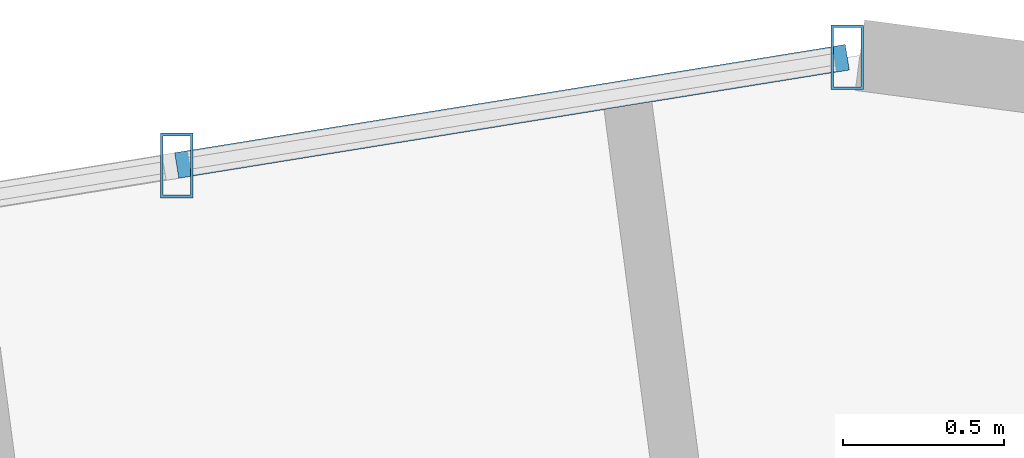
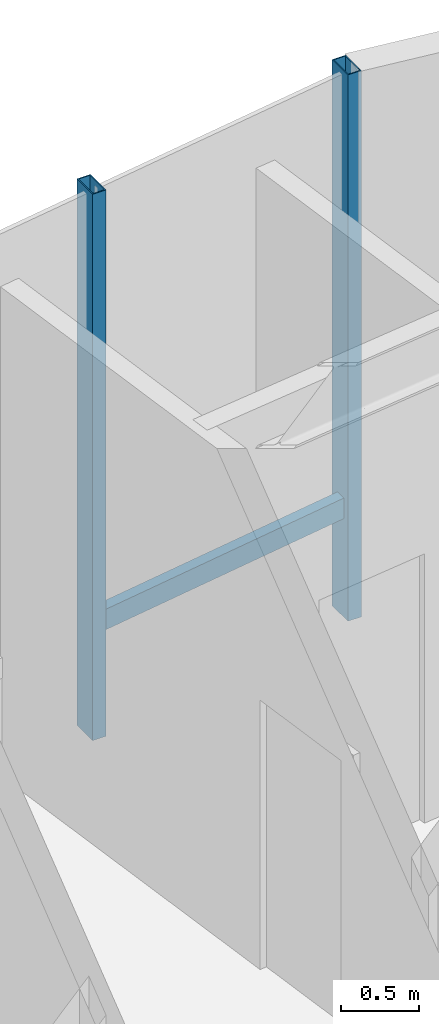
# One storey, part 12 of 20: 3 members, 1 element without a shape of its own.
"""IFC4 building model written with IfcOpenShell, lengths in metres."""

import ifcopenshell
import ifcopenshell.guid

model = None  # the IFC model being written
_history = None  # IfcOwnerHistory: only IFC2X3 demands one
_inside = {}  # id of a spatial element -> (the spatial element, [elements in it])
_under = {}  # id of a project, library or spatial element -> (it, [spatial elements below it])
_declared = {}  # id of a project -> (the project, [libraries it declares])
_typed = {}  # id of a type object -> (the type object, [elements of that type])
_made_of = {}  # id of a material, layer set ... -> (it, [elements and type objects made of it])


def new_model(schema):
    """Start an empty IFC model of exactly this schema.

    Asked for "IFC4X3", IfcOpenShell would pick the latest addendum, in which some entities
    have other attributes; the version numbers below select the first issue.
    IFC2X3 requires an IfcOwnerHistory on every rooted entity: one is made here for all.
    """
    global model, _history
    if schema == "IFC4X3":
        model = ifcopenshell.file(schema_version=(4, 3, 0, 0))
    else:
        model = ifcopenshell.file(schema=schema)
    _inside.clear()
    _under.clear()
    _declared.clear()
    _typed.clear()
    _made_of.clear()
    _history = None
    if model.schema == "IFC2X3":
        org = make("IfcOrganization", Name="unknown")
        user = make(
            "IfcPersonAndOrganization",
            ThePerson=make("IfcPerson", FamilyName="unknown"),
            TheOrganization=org,
        )
        app = make(
            "IfcApplication",
            ApplicationDeveloper=org,
            Version="unknown",
            ApplicationFullName="unknown",
            ApplicationIdentifier="unknown",
        )
        _history = make(
            "IfcOwnerHistory",
            OwningUser=user,
            OwningApplication=app,
            ChangeAction="ADDED",
            CreationDate=0,
        )
    return model


def make(cls, **values):
    """One entity of the class cls with the attributes given. An attribute that is None is left unset."""
    return model.create_entity(
        cls, **{name: value for name, value in values.items() if value is not None}
    )


def rooted(cls, **values):
    """An entity with a GlobalId (a new one), such as an element, a storey or a relation."""
    return make(cls, GlobalId=ifcopenshell.guid.new(), OwnerHistory=_history, **values)


def si_unit(unit_type, name, prefix=None):
    """IfcSIUnit, for example si_unit("LENGTHUNIT", "METRE", prefix="MILLI")."""
    return make("IfcSIUnit", UnitType=unit_type, Prefix=prefix, Name=name)


def assignment(units):
    """IfcUnitAssignment: the units of a project."""
    return None if units is None else make("IfcUnitAssignment", Units=units)


def point(xyz):
    """IfcCartesianPoint."""
    return None if xyz is None else make("IfcCartesianPoint", Coordinates=xyz)


def direction(xyz):
    """IfcDirection."""
    return None if xyz is None else make("IfcDirection", DirectionRatios=xyz)


def frame(location, z_axis=None, x_axis=None):
    """IfcAxis2Placement3D, a coordinate frame: its origin and axes. An axis left out is left unset."""
    return make(
        "IfcAxis2Placement3D",
        Location=point(location),
        Axis=direction(z_axis),
        RefDirection=direction(x_axis),
    )


def frame_2d(location, x_axis=None):
    """IfcAxis2Placement2D, a coordinate frame in the plane: its origin and x axis."""
    return make(
        "IfcAxis2Placement2D", Location=point(location), RefDirection=direction(x_axis)
    )


def origin():
    """The frame at (0, 0, 0) with its axes left unset."""
    return frame((0.0, 0.0, 0.0))


def origin_2d():
    """The frame at (0, 0) in the plane with its x axis left unset."""
    return frame_2d((0.0, 0.0))


def place(relative_to, where):
    """IfcLocalPlacement: puts the frame where relative to a parent placement (None: the world)."""
    return make(
        "IfcLocalPlacement", PlacementRelTo=relative_to, RelativePlacement=where
    )


def context(
    kind, dimensions, precision=None, world=None, true_north=None, identifier=None
):
    """IfcGeometricRepresentationContext, for example the 3D "Model" context."""
    return make(
        "IfcGeometricRepresentationContext",
        ContextIdentifier=identifier,
        ContextType=kind,
        CoordinateSpaceDimension=dimensions,
        Precision=precision,
        WorldCoordinateSystem=world,
        TrueNorth=true_north,
    )


def subcontext(parent, identifier, kind, view, scale=None):
    """IfcGeometricRepresentationSubContext, for example "Body" below "Model"."""
    return make(
        "IfcGeometricRepresentationSubContext",
        ContextIdentifier=identifier,
        ContextType=kind,
        ParentContext=parent,
        TargetScale=scale,
        TargetView=view,
    )


def project(units=None, contexts=None):
    """IfcProject with its units and contexts."""
    return rooted(
        "IfcProject",
        Name="project",
        RepresentationContexts=contexts,
        UnitsInContext=assignment(units),
    )


def spatial(cls, under=None, at=None, **own):
    """A site, building, storey or space (cls), placed at a placement, below another one or the project."""
    s = rooted(cls, ObjectPlacement=at, **own)
    if under is not None:
        _under.setdefault(under.id(), (under, []))[1].append(s)
    return s


def profile(cls, at=None, kind="AREA", **sizes):
    """A parametric profile (cls). Its sizes go by their IFC names, for example OverallWidth=200.0."""
    return make(cls, ProfileType=kind, Position=at, **sizes)


def hollow_rectangle(**sizes):
    """IfcRectangleHollowProfileDef."""
    return profile("IfcRectangleHollowProfileDef", **sizes)


def extrude(swept, where, along, depth):
    """IfcExtrudedAreaSolid: the profile swept, set in the frame where, extruded along a direction by depth."""
    return make(
        "IfcExtrudedAreaSolid",
        SweptArea=swept,
        Position=where,
        ExtrudedDirection=direction(along),
        Depth=depth,
    )


def shape(context_of_items, identifier, shape_type, items):
    """IfcShapeRepresentation: the items that make up one representation, for example the "Body"."""
    return make(
        "IfcShapeRepresentation",
        ContextOfItems=context_of_items,
        RepresentationIdentifier=identifier,
        RepresentationType=shape_type,
        Items=items,
    )


def source(mapping_origin, context_of_items, identifier, shape_type, items):
    """IfcRepresentationMap: a shape defined once, which mapped items show again and again."""
    return make(
        "IfcRepresentationMap",
        MappingOrigin=mapping_origin,
        MappedRepresentation=shape(context_of_items, identifier, shape_type, items),
    )


def transform(
    local_origin,
    x_axis=None,
    y_axis=None,
    z_axis=None,
    scale=None,
    scale2=None,
    scale3=None,
    uniform=True,
):
    """IfcCartesianTransformationOperator3D, or its non-uniform kind. x_axis, y_axis, z_axis: its Axis1, 2, 3."""
    if uniform:
        return make(
            "IfcCartesianTransformationOperator3D",
            Axis1=direction(x_axis),
            Axis2=direction(y_axis),
            LocalOrigin=point(local_origin),
            Scale=scale,
            Axis3=direction(z_axis),
        )
    return make(
        "IfcCartesianTransformationOperator3DnonUniform",
        Axis1=direction(x_axis),
        Axis2=direction(y_axis),
        LocalOrigin=point(local_origin),
        Scale=scale,
        Axis3=direction(z_axis),
        Scale2=scale2,
        Scale3=scale3,
    )


def mapped(mapping_source, mapping_target):
    """IfcMappedItem: shows the shape of a source again, moved by a transform."""
    return make(
        "IfcMappedItem", MappingSource=mapping_source, MappingTarget=mapping_target
    )


def material(Name=None, Category=None):
    """IfcMaterial."""
    return make("IfcMaterial", Name=Name, Category=Category)


def material_profile(
    of_material, cross_section, Name=None, Category=None, Priority=None
):
    """IfcMaterialProfile: a cross section and its material."""
    return make(
        "IfcMaterialProfile",
        Name=Name,
        Material=of_material,
        Profile=cross_section,
        Priority=Priority,
        Category=Category,
    )


def profile_set(profiles, Name=None, composite=None):
    """IfcMaterialProfileSet."""
    return make(
        "IfcMaterialProfileSet",
        Name=Name,
        MaterialProfiles=profiles,
        CompositeProfile=composite,
    )


def made_of(thing, what):
    """Note that an element or type object is made of a material, layer set ...; save() writes the relation."""
    if what is not None:
        _made_of.setdefault(what.id(), (what, []))[1].append(thing)
    return thing


def type_object(cls, material=None, **own):
    """A type object (cls), such as IfcWallType, which elements share."""
    return made_of(rooted(cls, **own), material)


def element(
    cls,
    number,
    at=None,
    inside=None,
    cuts=None,
    type_object=None,
    material=None,
    context=None,
    identifier="Body",
    shape_type=None,
    held_by="IfcProductDefinitionShape",
    body=None,
    shapes=None,
    **own,
):
    """One element of the class cls, such as IfcWall. Its Tag is "e" and its number.

    at: its placement. inside: the storey or other place that contains it. cuts: it is an
    opening in that element (IfcRelVoidsElement). A single representation is given by context,
    identifier, shape_type and body (its items); several are given by shapes. held_by: the class
    of the entity that holds the representations. save() writes the other relations.
    """
    e = rooted(cls, Tag="e%d" % number, ObjectPlacement=at, **own)
    if body is not None:
        shapes = [shape(context, identifier, shape_type, body)]
    if shapes is not None:
        e.Representation = make(held_by, Representations=shapes)
    if inside is not None:
        _inside.setdefault(inside.id(), (inside, []))[1].append(e)
    if cuts is not None:
        rooted(
            "IfcRelVoidsElement", RelatingBuildingElement=cuts, RelatedOpeningElement=e
        )
    if type_object is not None:
        _typed.setdefault(type_object.id(), (type_object, []))[1].append(e)
    return made_of(e, material)


def aggregate(whole, parts):
    """IfcRelAggregates: a whole, such as a stair, and the parts it consists of."""
    return rooted("IfcRelAggregates", RelatingObject=whole, RelatedObjects=parts)


def save(model, path):
    """Write the relations noted so far, then the file.

    IfcRelAggregates (storeys below a building ...), IfcRelContainedInSpatialStructure (elements
    in a storey), IfcRelDefinesByType, IfcRelAssociatesMaterial and IfcRelDeclares: one each for
    every whole, place, type object, material and project.
    """
    for whole, parts in _under.values():
        aggregate(whole, parts)
    for where, things in _inside.values():
        rooted(
            "IfcRelContainedInSpatialStructure",
            RelatedElements=things,
            RelatingStructure=where,
        )
    for kind, things in _typed.values():
        rooted("IfcRelDefinesByType", RelatedObjects=things, RelatingType=kind)
    for what, things in _made_of.values():
        rooted("IfcRelAssociatesMaterial", RelatedObjects=things, RelatingMaterial=what)
    for by, libraries in _declared.values():
        rooted("IfcRelDeclares", RelatingContext=by, RelatedDefinitions=libraries)
    model.write(path)


model = new_model("IFC4")

# Units and contexts
model_context = context("Model", 3, precision=1e-05, world=origin(), true_north=direction((0.0, 1.0)))
body_context = subcontext(model_context, "Body", "Model", "MODEL_VIEW")
ifc_project = project(units=[si_unit("LENGTHUNIT", "METRE"), si_unit("AREAUNIT", "SQUARE_METRE"), si_unit("VOLUMEUNIT", "CUBIC_METRE"), si_unit("PLANEANGLEUNIT", "RADIAN"), si_unit("MASSUNIT", "GRAM", prefix="KILO")], contexts=[model_context])

# Site, building, storey
site_placement = place(None, origin())
site = spatial("IfcSite", under=ifc_project, at=site_placement, CompositionType="ELEMENT")
building_placement = place(site_placement, origin())
building = spatial("IfcBuilding", under=site, at=building_placement, Name="Sahyath Konkavel Grand Hotel", CompositionType="ELEMENT")
storey_placement = place(building_placement, frame((0.0, 0.0, 229.949951171875)))
storey = spatial("IfcBuildingStorey", under=building, at=storey_placement, Name="L64", CompositionType="ELEMENT", Elevation=229.949951171875)

# Curtain wall, members
ifc_material_1 = material(Name="Anodised Bronze Aluminium & Low-E Glazing", Category="aluminium")
curtain_wall_type = type_object("IfcCurtainWallType", Name="CW-SKYLOBBY", PredefinedType="NOTDEFINED", material=ifc_material_1)
curtain_wall_placement = place(storey_placement, origin())
curtain_wall = element("IfcCurtainWall", 1, at=curtain_wall_placement, inside=storey, type_object=curtain_wall_type, Name="L64 Unitised Curtain Wall F12", PredefinedType="NOTDEFINED")
ifc_material_2 = material(Name="Anodised Bronze Aluminium", Category="aluminium")
ifc_material_profile_1 = material_profile(ifc_material_2, hollow_rectangle(XDim=0.10009765625, YDim=0.199951171875, WallThickness=0.008056640625, at=origin_2d()), Name="RHS 200x100x8")
ifc_profile_set_1 = profile_set([ifc_material_profile_1], Name="Anodised Bronze Aluminium")
member_type_1 = type_object("IfcMemberType", Name="CW-MUL-200", PredefinedType="MULLION", material=ifc_profile_set_1)
shared_shape_1 = source(origin(), body_context, "Body", "SweptSolid", [
    extrude(hollow_rectangle(XDim=0.10009765625, YDim=0.199951171875, WallThickness=0.008056640625, at=origin_2d()), origin(), (0.0, 0.0, 1.0), 4.260009765625),
])
member_1_placement = place(storey_placement, frame((1.107421875, 20.263671875, 0.0), z_axis=(0.0, 0.0, 1.0), x_axis=(1.0, 0.0, 0.0)))
member_1 = element("IfcMember", 2, at=member_1_placement, type_object=member_type_1, Name="L64 Curtain Wall Mullion F12-0", PredefinedType="MULLION", context=body_context, shape_type="MappedRepresentation", body=[
    mapped(shared_shape_1, transform((0.0, 0.0, 0.0), scale=1.0)),
])
member_2_placement = place(storey_placement, frame((-0.96923828125, 19.928466796875, 0.0), z_axis=(0.0, 0.0, 1.0), x_axis=(1.0, 0.0, 0.0)))
member_2 = element("IfcMember", 3, at=member_2_placement, type_object=member_type_1, Name="L64 Curtain Wall Mullion F12-1", PredefinedType="MULLION", context=body_context, shape_type="MappedRepresentation", body=[
    mapped(shared_shape_1, transform((0.0, 0.0, 0.0), scale=1.0)),
])
ifc_material_profile_2 = material_profile(ifc_material_2, hollow_rectangle(XDim=0.080078125, YDim=0.159912109375, WallThickness=0.006103515625, at=origin_2d()), Name="RHS 160x80x6")
ifc_profile_set_2 = profile_set([ifc_material_profile_2], Name="Anodised Bronze Aluminium")
member_type_2 = type_object("IfcMemberType", Name="CW-TRN-160", PredefinedType="USERDEFINED", material=ifc_profile_set_2)
shared_shape_2 = source(origin(), body_context, "Body", "SweptSolid", [
    extrude(hollow_rectangle(XDim=0.080078125, YDim=0.159912109375, WallThickness=0.006103515625, at=origin_2d()), origin(), (0.0, 0.0, 1.0), 2.103515625),
])
member_3_placement = place(storey_placement, frame((1.107421875, 20.263671875, 0.85009765625), z_axis=(-0.987221691262, -0.159352854703, 0.0), x_axis=(0.159352854703, -0.987221691262, 0.0)))
member_3 = element("IfcMember", 4, at=member_3_placement, type_object=member_type_2, Name="L64 Curtain Wall Transom F12-0-spandrel", ObjectType="TRANSOM", PredefinedType="USERDEFINED", context=body_context, shape_type="MappedRepresentation", body=[
    mapped(shared_shape_2, transform((0.0, 0.0, 0.0), scale=1.0)),
])
aggregate(curtain_wall, [member_1, member_2, member_3])

save(model, "model.ifc")
